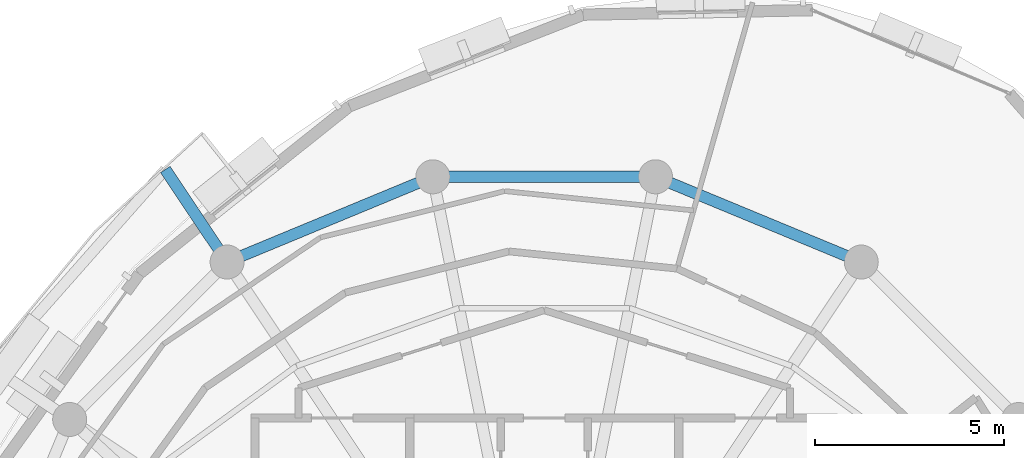
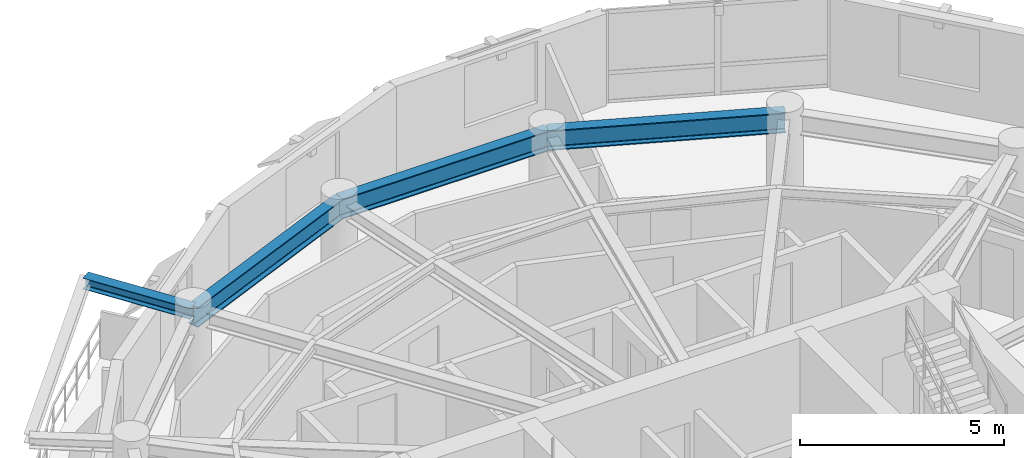
# One storey, part 4 of 11: 4 beams.
"""IFC4 building model written with IfcOpenShell, lengths in metres."""

from ifc_helpers import new_model, si_unit, direction, frame, origin, origin_2d, place, context, subcontext, project, spatial, i_section, extrude, material, material_profile, profile_set, type_object, element, save


model = new_model("IFC4")

# Units and contexts
model_context = context("Model", 3, precision=1e-05, world=origin(), true_north=direction((0.0, 1.0)))
body_context = subcontext(model_context, "Body", "Model", "MODEL_VIEW")
ifc_project = project(units=[si_unit("LENGTHUNIT", "METRE"), si_unit("AREAUNIT", "SQUARE_METRE"), si_unit("VOLUMEUNIT", "CUBIC_METRE"), si_unit("PLANEANGLEUNIT", "RADIAN"), si_unit("MASSUNIT", "GRAM", prefix="KILO"), si_unit("THERMODYNAMICTEMPERATUREUNIT", "KELVIN"), si_unit("POWERUNIT", "WATT")], contexts=[model_context])

# Site, building, storey
site_placement = place(None, origin())
site = spatial("IfcSite", under=ifc_project, at=site_placement, CompositionType="ELEMENT")
building_placement = place(site_placement, origin())
building = spatial("IfcBuilding", under=site, at=building_placement, Name="Ocrelia Relay Tower", CompositionType="ELEMENT")
storey_placement = place(building_placement, frame((0.0, 0.0, 255.60009765625)))
storey = spatial("IfcBuildingStorey", under=building, at=storey_placement, Name="L63", CompositionType="ELEMENT", Elevation=255.60009765625)

# Beams
ifc_material = material(Name="Steel S355", Category="steel")
ifc_material_profile_1 = material_profile(ifc_material, i_section(OverallWidth=0.300048828125, OverallDepth=0.330078125, WebThickness=0.009521484375, FlangeThickness=0.0166015625, FilletRadius=0.027099609375, at=origin_2d()), Name="HEA 340")
ifc_profile_set_1 = profile_set([ifc_material_profile_1], Name="Steel S355")
beam_type_1 = type_object("IfcBeamType", Name="BM-HEA340", PredefinedType="BEAM", material=ifc_profile_set_1)
beam_1_placement = place(storey_placement, frame((25.61083984375, 38.55517578125, 3.21484375), z_axis=(-0.555560858205, 0.831475876277, 0.0), x_axis=(-0.831475876277, -0.555560858205, 0.0)))
element("IfcBeam", 1, at=beam_1_placement, inside=storey, type_object=beam_type_1, Name="L64 Balcony Cantilever Beam B1-1", PredefinedType="BEAM", context=body_context, shape_type="SweptSolid", body=[
    extrude(i_section(OverallWidth=0.300048828125, OverallDepth=0.330078125, WebThickness=0.009521484375, FlangeThickness=0.0166015625, FilletRadius=0.027099609375, at=origin_2d()), origin(), (0.0, 0.0, 1.0), 2.94482421875),
])
ifc_material_profile_2 = material_profile(ifc_material, i_section(OverallWidth=0.300048828125, OverallDepth=0.60009765625, WebThickness=0.015380859375, FlangeThickness=0.030029296875, FilletRadius=0.027099609375, at=origin_2d()), Name="HEB 600")
ifc_profile_set_2 = profile_set([ifc_material_profile_2], Name="Steel S355")
beam_type_2 = type_object("IfcBeamType", Name="BM-HEB600", PredefinedType="BEAM", material=ifc_profile_set_2)
beam_2_placement = place(storey_placement, frame((42.38916015625, 38.55517578125, 3.079833984375), z_axis=(-0.923884009374, 0.382672624084, 0.0), x_axis=(-0.382672624084, -0.923884009374, 0.0)))
element("IfcBeam", 2, at=beam_2_placement, inside=storey, type_object=beam_type_2, Name="L63 Perimeter Spandrel Beam S03", PredefinedType="BEAM", context=body_context, shape_type="SweptSolid", body=[
    extrude(i_section(OverallWidth=0.300048828125, OverallDepth=0.60009765625, WebThickness=0.015380859375, FlangeThickness=0.030029296875, FilletRadius=0.027099609375, at=origin_2d()), origin(), (0.0, 0.0, 1.0), 5.891845703125),
])
beam_3_placement = place(storey_placement, frame((36.94580078125, 40.809814453125, 3.079833984375), z_axis=(-1.0, 0.0, 0.0), x_axis=(0.0, -1.0, 0.0)))
element("IfcBeam", 3, at=beam_3_placement, inside=storey, type_object=beam_type_2, Name="L63 Perimeter Spandrel Beam S04", PredefinedType="BEAM", context=body_context, shape_type="SweptSolid", body=[
    extrude(i_section(OverallWidth=0.300048828125, OverallDepth=0.60009765625, WebThickness=0.015380859375, FlangeThickness=0.030029296875, FilletRadius=0.027099609375, at=origin_2d()), origin(), (0.0, 0.0, 1.0), 5.8916015625),
])
beam_4_placement = place(storey_placement, frame((31.05419921875, 40.809814453125, 3.079833984375), z_axis=(-0.923884009374, -0.382672624084, 0.0), x_axis=(0.382672624084, -0.923884009374, 0.0)))
element("IfcBeam", 4, at=beam_4_placement, inside=storey, type_object=beam_type_2, Name="L63 Perimeter Spandrel Beam S05", PredefinedType="BEAM", context=body_context, shape_type="SweptSolid", body=[
    extrude(i_section(OverallWidth=0.300048828125, OverallDepth=0.60009765625, WebThickness=0.015380859375, FlangeThickness=0.030029296875, FilletRadius=0.027099609375, at=origin_2d()), origin(), (0.0, 0.0, 1.0), 5.891845703125),
])

save(model, "model.ifc")
